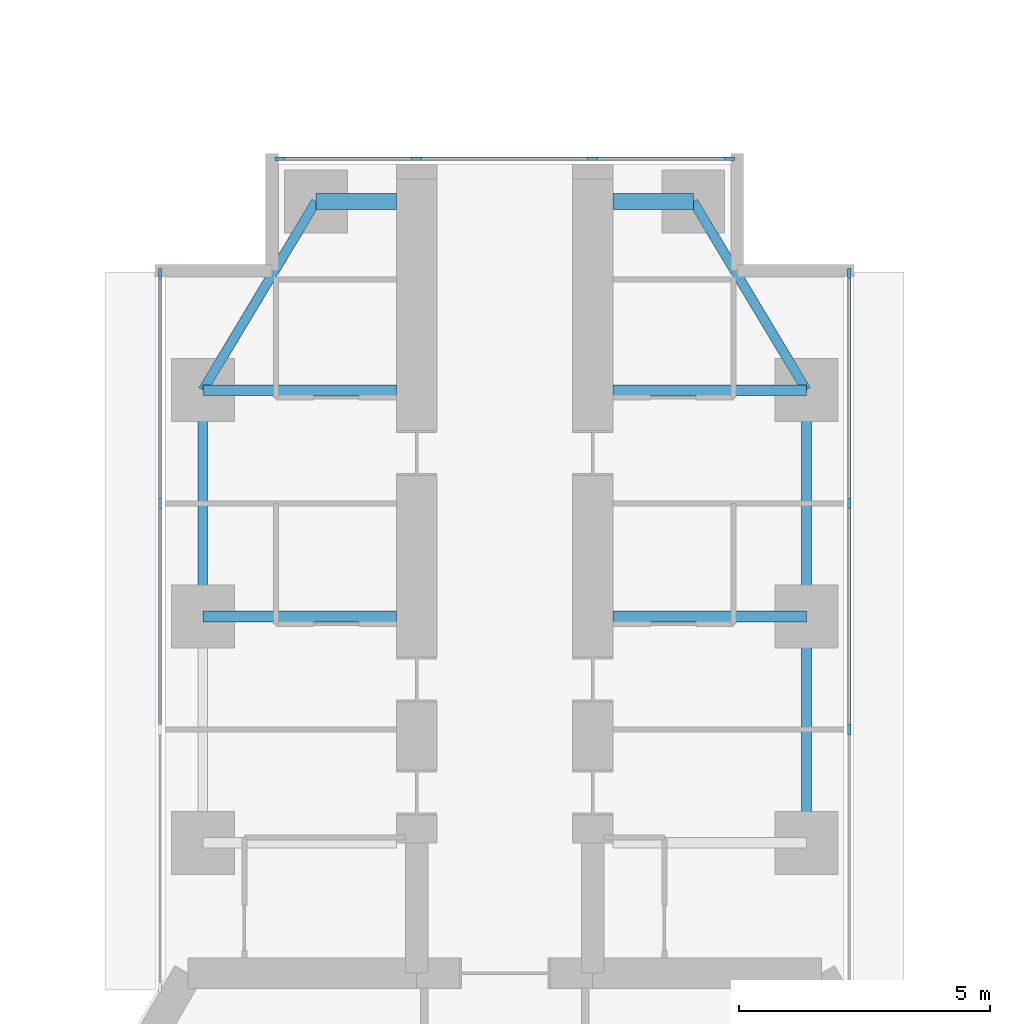
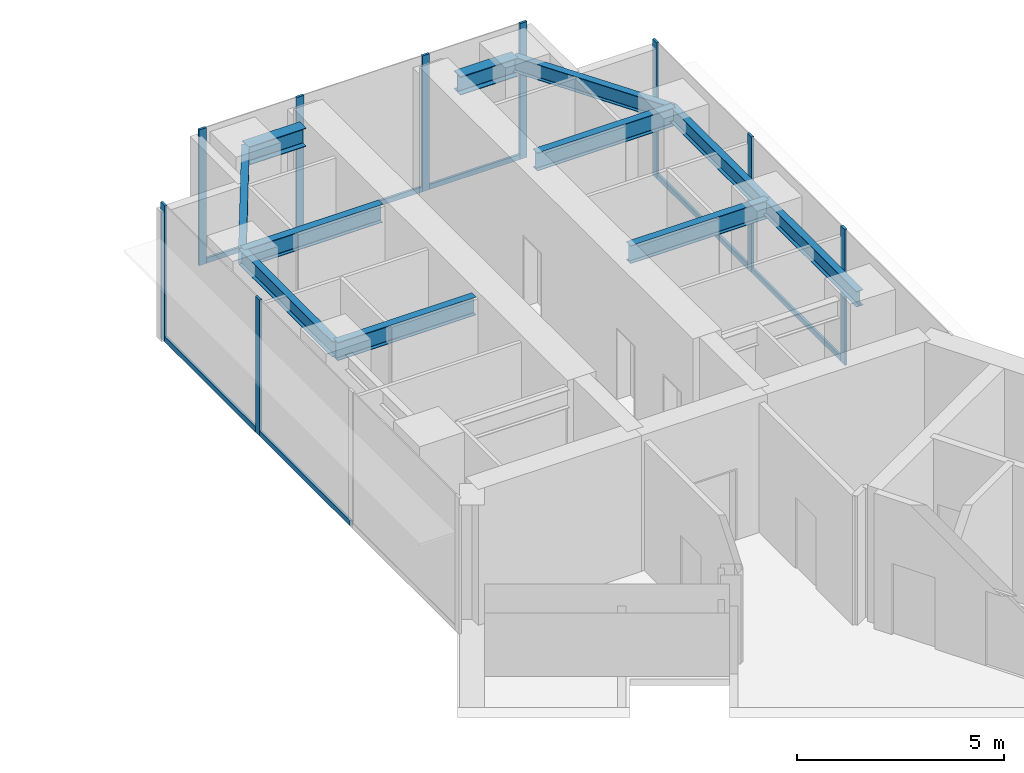
# One storey, part 12 of 23: 16 members, 11 beams, 3 elements without a shape of their own.
"""IFC4 building model written with IfcOpenShell, lengths in metres."""

from ifc_helpers import new_model, si_unit, direction, frame, origin, origin_2d, place, context, subcontext, project, spatial, rectangle, i_section, extrude, material, material_profile, profile_set, type_object, element, aggregate, save


model = new_model("IFC4")

# Units and contexts
model_context = context("Model", 3, precision=1e-05, world=origin(), true_north=direction((0.0, 1.0)))
body_context = subcontext(model_context, "Body", "Model", "MODEL_VIEW")
ifc_project = project(units=[si_unit("LENGTHUNIT", "METRE"), si_unit("AREAUNIT", "SQUARE_METRE"), si_unit("VOLUMEUNIT", "CUBIC_METRE"), si_unit("PLANEANGLEUNIT", "RADIAN"), si_unit("MASSUNIT", "GRAM", prefix="KILO")], contexts=[model_context])

# Site, building, storey
site_placement = place(None, origin())
site = spatial("IfcSite", under=ifc_project, at=site_placement, CompositionType="ELEMENT")
building_placement = place(site_placement, origin())
building = spatial("IfcBuilding", under=site, at=building_placement, Name="Upepo Twin Towers", CompositionType="ELEMENT")
storey_placement = place(building_placement, frame((0.0, 0.0, 145.5)))
storey = spatial("IfcBuildingStorey", under=building, at=storey_placement, Name="L35", CompositionType="ELEMENT", Elevation=145.5)

# Beams
ifc_material_1 = material(Name="Steel S355", Category="steel")
ifc_material_profile_1 = material_profile(ifc_material_1, i_section(OverallWidth=0.1904296875, OverallDepth=0.45703125, WebThickness=0.009033203125, FlangeThickness=0.014404296875, FilletRadius=0.01025390625, at=origin_2d()), Name="UB 457x191x74")
ifc_profile_set_1 = profile_set([ifc_material_profile_1], Name="Steel S355")
beam_type_1 = type_object("IfcBeamType", Name="Beam UB 457x191x74", PredefinedType="BEAM", material=ifc_profile_set_1)
beam_1_placement = place(storey_placement, frame((52.5, 0.0, 3.571533203125), z_axis=(0.0, 1.0, 0.0), x_axis=(-1.0, 0.0, 0.0)))
element("IfcBeam", 1, at=beam_1_placement, inside=storey, type_object=beam_type_1, Name="T2 edge beam AL 18.0-22.5", PredefinedType="BEAM", context=body_context, shape_type="SweptSolid", body=[
    extrude(i_section(OverallWidth=0.1904296875, OverallDepth=0.45703125, WebThickness=0.009033203125, FlangeThickness=0.014404296875, FilletRadius=0.01025390625, at=origin_2d()), origin(), (0.0, 0.0, 1.0), 4.5),
])
beam_2_placement = place(storey_placement, frame((52.5, 4.5, 3.571533203125), z_axis=(0.514495755428, 0.857492925713, 0.0), x_axis=(-0.857492925713, 0.514495755428, 0.0)))
element("IfcBeam", 2, at=beam_2_placement, inside=storey, type_object=beam_type_1, Name="T2 nose edge beam AL", PredefinedType="BEAM", context=body_context, shape_type="SweptSolid", body=[
    extrude(i_section(OverallWidth=0.1904296875, OverallDepth=0.45703125, WebThickness=0.009033203125, FlangeThickness=0.014404296875, FilletRadius=0.01025390625, at=origin_2d()), origin(), (0.0, 0.0, 1.0), 4.373291015625),
])
for number, where, z_axis, x_axis, name in (
    (3, (64.5, -4.5, 3.571533203125), (0.0, 1.0, 0.0), (-1.0, 0.0, 0.0), "T2 edge beam AR 13.5-18.0"),
    (4, (64.5, 0.0, 3.571533203125), (0.0, 1.0, 0.0), (-1.0, 0.0, 0.0), "T2 edge beam AR 18.0-22.5"),
):
    element("IfcBeam", number, at=place(storey_placement, frame(where, z_axis=z_axis, x_axis=x_axis)), inside=storey, type_object=beam_type_1, Name=name, PredefinedType="BEAM", context=body_context, shape_type="SweptSolid", body=[
        extrude(i_section(OverallWidth=0.1904296875, OverallDepth=0.45703125, WebThickness=0.009033203125, FlangeThickness=0.014404296875, FilletRadius=0.01025390625, at=origin_2d()), origin(), (0.0, 0.0, 1.0), 4.5),
    ])
beam_3_placement = place(storey_placement, frame((64.5, 4.5, 3.571533203125), z_axis=(-0.514495755428, 0.857492925713, 0.0), x_axis=(-0.857492925713, -0.514495755428, 0.0)))
element("IfcBeam", 5, at=beam_3_placement, inside=storey, type_object=beam_type_1, Name="T2 nose edge beam AR", PredefinedType="BEAM", context=body_context, shape_type="SweptSolid", body=[
    extrude(i_section(OverallWidth=0.1904296875, OverallDepth=0.45703125, WebThickness=0.009033203125, FlangeThickness=0.014404296875, FilletRadius=0.01025390625, at=origin_2d()), origin(), (0.0, 0.0, 1.0), 4.373291015625),
])
ifc_material_2 = material(Name="Steel S355", Category="steel")
ifc_material_profile_2 = material_profile(ifc_material_2, i_section(OverallWidth=0.209228515625, OverallDepth=0.533203125, WebThickness=0.010009765625, FlangeThickness=0.015625, FilletRadius=0.0126953125, at=origin_2d()), Name="UB 533x210x92")
ifc_profile_set_2 = profile_set([ifc_material_profile_2], Name="Steel S355")
beam_type_2 = type_object("IfcBeamType", Name="Beam UB 533x210x92", PredefinedType="BEAM", material=ifc_profile_set_2)
for number, where, z_axis, x_axis, name in (
    (6, (52.5, 0.0, 3.533447265625), (1.0, 0.0, 0.0), (0.0, 1.0, 0.0), "T2 girder AL at 18.0"),
    (7, (52.5, 4.5, 3.533447265625), (1.0, 0.0, 0.0), (0.0, 1.0, 0.0), "T2 girder AL at 22.5"),
    (8, (64.5, 0.0, 3.533447265625), (-1.0, 0.0, 0.0), (0.0, -1.0, 0.0), "T2 girder AR at 18.0"),
    (9, (64.5, 4.5, 3.533447265625), (-1.0, 0.0, 0.0), (0.0, -1.0, 0.0), "T2 girder AR at 22.5"),
):
    element("IfcBeam", number, at=place(storey_placement, frame(where, z_axis=z_axis, x_axis=x_axis)), inside=storey, type_object=beam_type_2, Name=name, PredefinedType="BEAM", context=body_context, shape_type="SweptSolid", body=[
        extrude(i_section(OverallWidth=0.209228515625, OverallDepth=0.533203125, WebThickness=0.010009765625, FlangeThickness=0.015625, FilletRadius=0.0126953125, at=origin_2d()), origin(), (0.0, 0.0, 1.0), 3.85009765625),
    ])
ifc_material_3 = material(Name="Steel S355", Category="steel")
ifc_material_profile_3 = material_profile(ifc_material_3, i_section(OverallWidth=0.31201171875, OverallDepth=0.54345703125, WebThickness=0.0126953125, FlangeThickness=0.020263671875, FilletRadius=0.0126953125, at=origin_2d()), Name="UB 533x312x150")
ifc_profile_set_3 = profile_set([ifc_material_profile_3], Name="Steel S355")
beam_type_3 = type_object("IfcBeamType", Name="Beam UB 533x312x150", PredefinedType="BEAM", material=ifc_profile_set_3)
for number, where, z_axis, x_axis, name in (
    (10, (54.75, 8.25, 3.5283203125), (1.0, 0.0, 0.0), (0.0, 1.0, 0.0), "T2 nose beam AL"),
    (11, (62.25, 8.25, 3.5283203125), (-1.0, 0.0, 0.0), (0.0, -1.0, 0.0), "T2 nose beam AR"),
):
    element("IfcBeam", number, at=place(storey_placement, frame(where, z_axis=z_axis, x_axis=x_axis)), inside=storey, type_object=beam_type_3, Name=name, PredefinedType="BEAM", context=body_context, shape_type="SweptSolid", body=[
        extrude(i_section(OverallWidth=0.31201171875, OverallDepth=0.54345703125, WebThickness=0.0126953125, FlangeThickness=0.020263671875, FilletRadius=0.0126953125, at=origin_2d()), origin(), (0.0, 0.0, 1.0), 1.60009765625),
    ])

# Curtain wall, members
ifc_material_4 = material(Name="Aluminium and fritted glass", Category="aluminium")
curtain_wall_type = type_object("IfcCurtainWallType", Name="Tower curtain wall TW2, fritted glass", PredefinedType="NOTDEFINED", material=ifc_material_4)
curtain_wall_1_placement = place(storey_placement, origin())
curtain_wall_1 = element("IfcCurtainWall", 12, at=curtain_wall_1_placement, inside=storey, type_object=curtain_wall_type, Name="T2 L35 wing A flank L curtain wall", PredefinedType="NOTDEFINED")
ifc_material_5 = material(Name="Aluminium mullion", Category="aluminium")
ifc_material_profile_4 = material_profile(ifc_material_5, rectangle(XDim=0.06494140625, YDim=0.199951171875, at=origin_2d()), Name="MULLION 65x200")
ifc_profile_set_4 = profile_set([ifc_material_profile_4], Name="Aluminium mullion")
member_type_1 = type_object("IfcMemberType", Name="Mullion 65x200 TW2", PredefinedType="MULLION", material=ifc_profile_set_4)
member_1_placement = place(storey_placement, frame((51.64990234375, 2.25, 0.0), z_axis=(0.0, 0.0, 1.0), x_axis=(-1.0, 0.0, 0.0)))
member_1 = element("IfcMember", 13, at=member_1_placement, type_object=member_type_1, Name="T2 L35 wing A flank L curtain wall mullion 3", PredefinedType="MULLION", context=body_context, shape_type="SweptSolid", body=[
    extrude(rectangle(XDim=0.06494140625, YDim=0.199951171875, at=origin_2d()), origin(), (0.0, 0.0, 1.0), 4.0),
])
member_2_placement = place(storey_placement, frame((51.64990234375, 6.8173828125, 0.0), z_axis=(0.0, 0.0, 1.0), x_axis=(-1.0, 0.0, 0.0)))
member_2 = element("IfcMember", 14, at=member_2_placement, type_object=member_type_1, Name="T2 L35 wing A flank L curtain wall mullion 4", PredefinedType="MULLION", context=body_context, shape_type="SweptSolid", body=[
    extrude(rectangle(XDim=0.06494140625, YDim=0.199951171875, at=origin_2d()), origin(), (0.0, 0.0, 1.0), 4.0),
])

curtain_wall_2_placement = place(storey_placement, origin())
curtain_wall_2 = element("IfcCurtainWall", 15, at=curtain_wall_2_placement, inside=storey, type_object=curtain_wall_type, Name="T2 L35 wing A flank R curtain wall", PredefinedType="NOTDEFINED")
member_3_placement = place(storey_placement, frame((65.35009765625, 6.8173828125, 0.0), z_axis=(0.0, 0.0, 1.0), x_axis=(1.0, 0.0, 0.0)))
member_3 = element("IfcMember", 16, at=member_3_placement, type_object=member_type_1, Name="T2 L35 wing A flank R curtain wall mullion 1", PredefinedType="MULLION", context=body_context, shape_type="SweptSolid", body=[
    extrude(rectangle(XDim=0.06494140625, YDim=0.199951171875, at=origin_2d()), origin(), (0.0, 0.0, 1.0), 4.0),
])
member_4_placement = place(storey_placement, frame((65.35009765625, 2.25, 0.0), z_axis=(0.0, 0.0, 1.0), x_axis=(1.0, 0.0, 0.0)))
member_4 = element("IfcMember", 17, at=member_4_placement, type_object=member_type_1, Name="T2 L35 wing A flank R curtain wall mullion 2", PredefinedType="MULLION", context=body_context, shape_type="SweptSolid", body=[
    extrude(rectangle(XDim=0.06494140625, YDim=0.199951171875, at=origin_2d()), origin(), (0.0, 0.0, 1.0), 4.0),
])
member_5_placement = place(storey_placement, frame((65.35009765625, -2.25, 0.0), z_axis=(0.0, 0.0, 1.0), x_axis=(1.0, 0.0, 0.0)))
member_5 = element("IfcMember", 18, at=member_5_placement, type_object=member_type_1, Name="T2 L35 wing A flank R curtain wall mullion 3", PredefinedType="MULLION", context=body_context, shape_type="SweptSolid", body=[
    extrude(rectangle(XDim=0.06494140625, YDim=0.199951171875, at=origin_2d()), origin(), (0.0, 0.0, 1.0), 4.0),
])

curtain_wall_3_placement = place(storey_placement, origin())
curtain_wall_3 = element("IfcCurtainWall", 19, at=curtain_wall_3_placement, inside=storey, type_object=curtain_wall_type, Name="T2 L35 wing A nose curtain wall", PredefinedType="NOTDEFINED")
member_6_placement = place(storey_placement, frame((62.967529296875, 9.10009765625, 0.0), z_axis=(0.0, 0.0, 1.0), x_axis=(0.0, -1.0, 0.0)))
member_6 = element("IfcMember", 20, at=member_6_placement, type_object=member_type_1, Name="T2 L35 wing A nose curtain wall mullion 1", PredefinedType="MULLION", context=body_context, shape_type="SweptSolid", body=[
    extrude(rectangle(XDim=0.06494140625, YDim=0.199951171875, at=origin_2d()), origin(), (0.0, 0.0, 1.0), 4.0),
])
member_7_placement = place(storey_placement, frame((60.25, 9.10009765625, 0.0), z_axis=(0.0, 0.0, 1.0), x_axis=(0.0, -1.0, 0.0)))
member_7 = element("IfcMember", 21, at=member_7_placement, type_object=member_type_1, Name="T2 L35 wing A nose curtain wall mullion 2", PredefinedType="MULLION", context=body_context, shape_type="SweptSolid", body=[
    extrude(rectangle(XDim=0.06494140625, YDim=0.199951171875, at=origin_2d()), origin(), (0.0, 0.0, 1.0), 4.0),
])
member_8_placement = place(storey_placement, frame((56.75, 9.10009765625, 0.0), z_axis=(0.0, 0.0, 1.0), x_axis=(0.0, -1.0, 0.0)))
member_8 = element("IfcMember", 22, at=member_8_placement, type_object=member_type_1, Name="T2 L35 wing A nose curtain wall mullion 3", PredefinedType="MULLION", context=body_context, shape_type="SweptSolid", body=[
    extrude(rectangle(XDim=0.06494140625, YDim=0.199951171875, at=origin_2d()), origin(), (0.0, 0.0, 1.0), 4.0),
])
member_9_placement = place(storey_placement, frame((54.032470703125, 9.10009765625, 0.0), z_axis=(0.0, 0.0, 1.0), x_axis=(0.0, -1.0, 0.0)))
member_9 = element("IfcMember", 23, at=member_9_placement, type_object=member_type_1, Name="T2 L35 wing A nose curtain wall mullion 4", PredefinedType="MULLION", context=body_context, shape_type="SweptSolid", body=[
    extrude(rectangle(XDim=0.06494140625, YDim=0.199951171875, at=origin_2d()), origin(), (0.0, 0.0, 1.0), 4.0),
])

# Member
ifc_material_6 = material(Name="Aluminium transom", Category="aluminium")
ifc_material_profile_5 = material_profile(ifc_material_6, rectangle(XDim=0.06494140625, YDim=0.14990234375, at=origin_2d()), Name="TRANSOM 65x150")
ifc_profile_set_5 = profile_set([ifc_material_profile_5], Name="Aluminium transom")
member_type_2 = type_object("IfcMemberType", Name="Transom 65x150 TW2", PredefinedType="USERDEFINED", material=ifc_profile_set_5)
member_10_placement = place(storey_placement, frame((51.64990234375, -2.217529296875, 0.074951171875), z_axis=(0.0, 1.0, 0.0), x_axis=(-1.0, 0.0, 0.0)))
member_10 = element("IfcMember", 24, at=member_10_placement, type_object=member_type_2, Name="T2 L35 wing A flank L curtain wall transom 2", ObjectType="TRANSOM", PredefinedType="USERDEFINED", context=body_context, shape_type="SweptSolid", body=[
    extrude(rectangle(XDim=0.06494140625, YDim=0.14990234375, at=origin_2d()), origin(), (0.0, 0.0, 1.0), 4.43505859375),
])

member_11_placement = place(storey_placement, frame((51.64990234375, 2.282470703125, 0.074951171875), z_axis=(0.0, 1.0, 0.0), x_axis=(-1.0, 0.0, 0.0)))
member_11 = element("IfcMember", 25, at=member_11_placement, type_object=member_type_2, Name="T2 L35 wing A flank L curtain wall transom 3", ObjectType="TRANSOM", PredefinedType="USERDEFINED", context=body_context, shape_type="SweptSolid", body=[
    extrude(rectangle(XDim=0.06494140625, YDim=0.14990234375, at=origin_2d()), origin(), (0.0, 0.0, 1.0), 4.50244140625),
])

aggregate(curtain_wall_1, [member_1, member_2, member_10, member_11])

member_12_placement = place(storey_placement, frame((65.35009765625, 6.784912109375, 0.074951171875), z_axis=(0.0, -1.0, 0.0), x_axis=(1.0, 0.0, 0.0)))
member_12 = element("IfcMember", 26, at=member_12_placement, type_object=member_type_2, Name="T2 L35 wing A flank R curtain wall transom 1", ObjectType="TRANSOM", PredefinedType="USERDEFINED", context=body_context, shape_type="SweptSolid", body=[
    extrude(rectangle(XDim=0.06494140625, YDim=0.14990234375, at=origin_2d()), origin(), (0.0, 0.0, 1.0), 4.50244140625),
])

member_13_placement = place(storey_placement, frame((65.35009765625, 2.217529296875, 0.074951171875), z_axis=(0.0, -1.0, 0.0), x_axis=(1.0, 0.0, 0.0)))
member_13 = element("IfcMember", 27, at=member_13_placement, type_object=member_type_2, Name="T2 L35 wing A flank R curtain wall transom 2", ObjectType="TRANSOM", PredefinedType="USERDEFINED", context=body_context, shape_type="SweptSolid", body=[
    extrude(rectangle(XDim=0.06494140625, YDim=0.14990234375, at=origin_2d()), origin(), (0.0, 0.0, 1.0), 4.43505859375),
])

aggregate(curtain_wall_2, [member_3, member_4, member_5, member_12, member_13])

member_14_placement = place(storey_placement, frame((62.93505859375, 9.10009765625, 0.074951171875), z_axis=(-1.0, 0.0, 0.0), x_axis=(0.0, -1.0, 0.0)))
member_14 = element("IfcMember", 28, at=member_14_placement, type_object=member_type_2, Name="T2 L35 wing A nose curtain wall transom 1", ObjectType="TRANSOM", PredefinedType="USERDEFINED", context=body_context, shape_type="SweptSolid", body=[
    extrude(rectangle(XDim=0.06494140625, YDim=0.14990234375, at=origin_2d()), origin(), (0.0, 0.0, 1.0), 2.652587890625),
])

member_15_placement = place(storey_placement, frame((60.217529296875, 9.10009765625, 0.074951171875), z_axis=(-1.0, 0.0, 0.0), x_axis=(0.0, -1.0, 0.0)))
member_15 = element("IfcMember", 29, at=member_15_placement, type_object=member_type_2, Name="T2 L35 wing A nose curtain wall transom 2", ObjectType="TRANSOM", PredefinedType="USERDEFINED", context=body_context, shape_type="SweptSolid", body=[
    extrude(rectangle(XDim=0.06494140625, YDim=0.14990234375, at=origin_2d()), origin(), (0.0, 0.0, 1.0), 3.43505859375),
])

member_16_placement = place(storey_placement, frame((56.717529296875, 9.10009765625, 0.074951171875), z_axis=(-1.0, 0.0, 0.0), x_axis=(0.0, -1.0, 0.0)))
member_16 = element("IfcMember", 30, at=member_16_placement, type_object=member_type_2, Name="T2 L35 wing A nose curtain wall transom 3", ObjectType="TRANSOM", PredefinedType="USERDEFINED", context=body_context, shape_type="SweptSolid", body=[
    extrude(rectangle(XDim=0.06494140625, YDim=0.14990234375, at=origin_2d()), origin(), (0.0, 0.0, 1.0), 2.652587890625),
])

aggregate(curtain_wall_3, [member_6, member_7, member_8, member_9, member_14, member_15, member_16])

save(model, "model.ifc")
